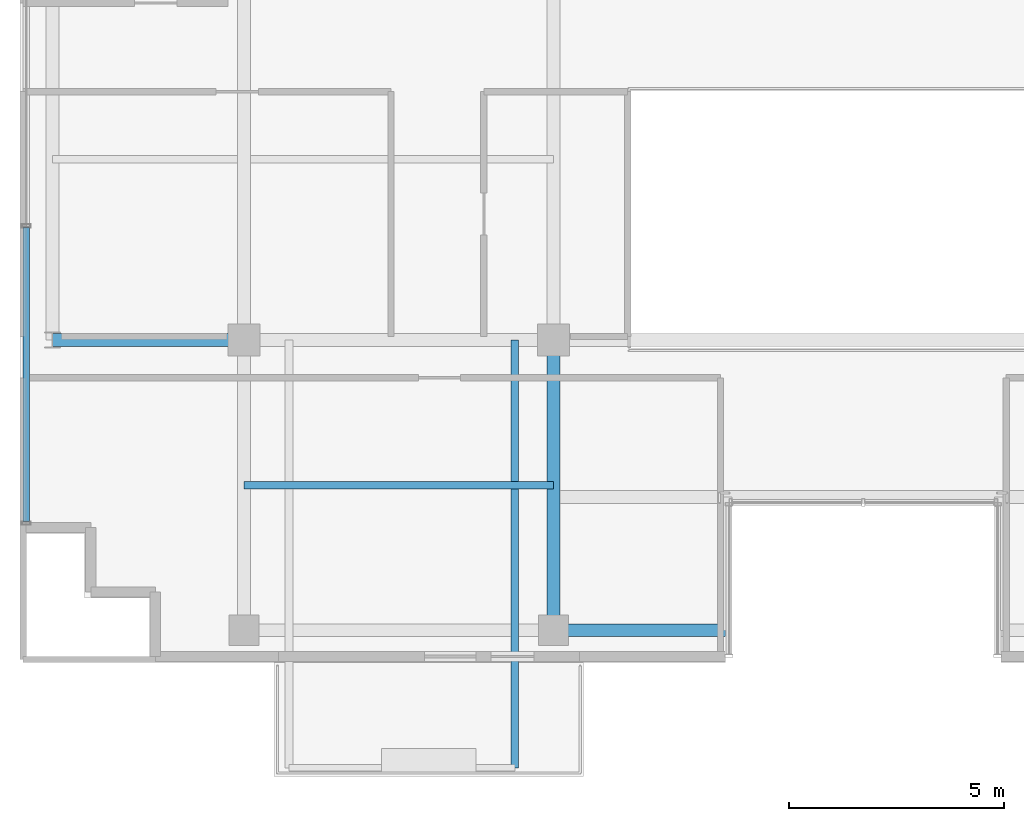
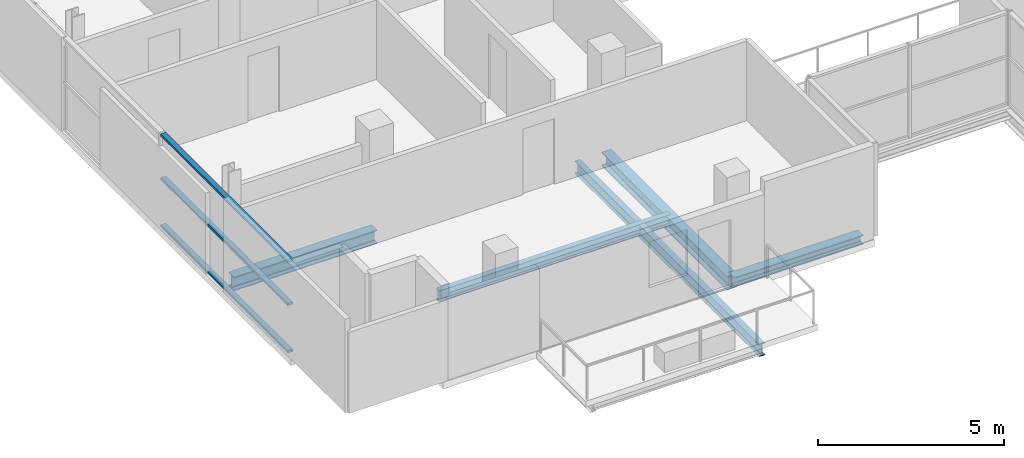
# One storey, part 3 of 22: 5 beams, 3 members, 1 element without a shape of its own.
"""IFC4 building model written with IfcOpenShell, lengths in metres."""

from ifc_helpers import new_model, si_unit, direction, frame, origin, origin_2d, place, context, subcontext, project, spatial, hollow_rectangle, i_section, extrude, source, transform, mapped, material, layer, layer_set, material_profile, profile_set, type_object, element, aggregate, save


model = new_model("IFC4")

# Units and contexts
model_context = context("Model", 3, precision=1e-05, world=origin(), true_north=direction((0.0, 1.0)))
body_context = subcontext(model_context, "Body", "Model", "MODEL_VIEW")
ifc_project = project(units=[si_unit("LENGTHUNIT", "METRE"), si_unit("AREAUNIT", "SQUARE_METRE"), si_unit("VOLUMEUNIT", "CUBIC_METRE"), si_unit("PLANEANGLEUNIT", "RADIAN"), si_unit("MASSUNIT", "GRAM", prefix="KILO")], contexts=[model_context])

# Site, building, storey
site_placement = place(None, origin())
site = spatial("IfcSite", under=ifc_project, at=site_placement, CompositionType="ELEMENT")
building_placement = place(site_placement, origin())
building = spatial("IfcBuilding", under=site, at=building_placement, Name="Zarnakvel Exchange Tower", CompositionType="ELEMENT")
storey_placement = place(building_placement, frame((0.0, 0.0, 245.199951171875)))
storey = spatial("IfcBuildingStorey", under=building, at=storey_placement, Name="L69", CompositionType="ELEMENT", Elevation=245.199951171875)

# Beams
ifc_material_1 = material(Name="Steel S355", Category="steel")
ifc_material_profile_1 = material_profile(ifc_material_1, i_section(OverallWidth=0.179931640625, OverallDepth=0.39990234375, WebThickness=0.008544921875, FlangeThickness=0.013427734375, FilletRadius=0.02099609375, at=origin_2d()))
ifc_profile_set_1 = profile_set([ifc_material_profile_1], Name="Steel S355")
beam_type_1 = type_object("IfcBeamType", Name="B-06", PredefinedType="JOIST", material=ifc_profile_set_1)
beam_1_placement = place(storey_placement, frame((-8.10009765625, -9.60009765625, -0.425048828125), z_axis=(0.0, -1.0, 0.0), x_axis=(1.0, 0.0, 0.0)))
element("IfcBeam", 1, at=beam_1_placement, inside=storey, type_object=beam_type_1, Name="L69 Continuous Back-Spanned Balcony Beam E", PredefinedType="JOIST", context=body_context, shape_type="SweptSolid", body=[
    extrude(i_section(OverallWidth=0.179931640625, OverallDepth=0.39990234375, WebThickness=0.008544921875, FlangeThickness=0.013427734375, FilletRadius=0.02099609375, at=origin_2d()), origin(), (0.0, 0.0, 1.0), 9.949951171875),
])
ifc_material_profile_2 = material_profile(ifc_material_1, i_section(OverallWidth=0.169921875, OverallDepth=0.360107421875, WebThickness=0.008056640625, FlangeThickness=0.0126953125, FilletRadius=0.01806640625, at=origin_2d()))
ifc_profile_set_2 = profile_set([ifc_material_profile_2], Name="Steel S355")
beam_type_2 = type_object("IfcBeamType", Name="B-07", PredefinedType="JOIST", material=ifc_profile_set_2)
beam_2_placement = place(storey_placement, frame((-14.39990234375, -12.97509765625, -0.405029296875), z_axis=(1.0, 0.0, 0.0), x_axis=(0.0, 1.0, 0.0)))
element("IfcBeam", 2, at=beam_2_placement, inside=storey, type_object=beam_type_2, Name="L69 Composite Floor Secondary Joist", PredefinedType="JOIST", context=body_context, shape_type="SweptSolid", body=[
    extrude(i_section(OverallWidth=0.169921875, OverallDepth=0.360107421875, WebThickness=0.008056640625, FlangeThickness=0.0126953125, FilletRadius=0.01806640625, at=origin_2d()), origin(), (0.0, 0.0, 1.0), 7.199951171875),
])
ifc_material_profile_3 = material_profile(ifc_material_1, i_section(OverallWidth=0.300048828125, OverallDepth=0.449951171875, WebThickness=0.013916015625, FlangeThickness=0.02587890625, FilletRadius=0.027099609375, at=origin_2d()))
ifc_profile_set_3 = profile_set([ifc_material_profile_3], Name="Steel S355")
beam_type_3 = type_object("IfcBeamType", Name="G-07", PredefinedType="BEAM", material=ifc_profile_set_3)
beam_3_placement = place(storey_placement, frame((-18.85009765625, -9.60009765625, -0.449951171875), z_axis=(1.0, 0.0, 0.0), x_axis=(0.0, 1.0, 0.0)))
element("IfcBeam", 3, at=beam_3_placement, inside=storey, type_object=beam_type_3, Name="L69 Tower E-W Frame Beam", PredefinedType="BEAM", context=body_context, shape_type="SweptSolid", body=[
    extrude(i_section(OverallWidth=0.300048828125, OverallDepth=0.449951171875, WebThickness=0.013916015625, FlangeThickness=0.02587890625, FilletRadius=0.027099609375, at=origin_2d()), origin(), (0.0, 0.0, 1.0), 4.4501953125),
])
beam_4_placement = place(storey_placement, frame((-7.199951171875, -16.35009765625, -0.449951171875), z_axis=(0.0, 1.0, 0.0), x_axis=(-1.0, 0.0, 0.0)))
element("IfcBeam", 4, at=beam_4_placement, inside=storey, type_object=beam_type_3, Name="L69 Tower N-S Frame Beam", PredefinedType="BEAM", context=body_context, shape_type="SweptSolid", body=[
    extrude(i_section(OverallWidth=0.300048828125, OverallDepth=0.449951171875, WebThickness=0.013916015625, FlangeThickness=0.02587890625, FilletRadius=0.027099609375, at=origin_2d()), origin(), (0.0, 0.0, 1.0), 6.75),
])
ifc_material_profile_4 = material_profile(ifc_material_1, i_section(OverallWidth=0.300048828125, OverallDepth=0.300048828125, WebThickness=0.010986328125, FlangeThickness=0.01904296875, FilletRadius=0.027099609375, at=origin_2d()))
ifc_profile_set_4 = profile_set([ifc_material_profile_4], Name="Steel S355")
beam_type_4 = type_object("IfcBeamType", Name="SP-03", PredefinedType="SPANDREL", material=ifc_profile_set_4)
beam_5_placement = place(storey_placement, frame((-7.199951171875, -16.35009765625, -0.375), z_axis=(1.0, 0.0, 0.0), x_axis=(0.0, 1.0, 0.0)))
element("IfcBeam", 5, at=beam_5_placement, inside=storey, type_object=beam_type_4, Name="L69 South Slot West Jamb Spandrel", PredefinedType="SPANDREL", context=body_context, shape_type="SweptSolid", body=[
    extrude(i_section(OverallWidth=0.300048828125, OverallDepth=0.300048828125, WebThickness=0.010986328125, FlangeThickness=0.01904296875, FilletRadius=0.027099609375, at=origin_2d()), origin(), (0.0, 0.0, 1.0), 4.0),
])

# Curtain wall, members
ifc_material_2 = material(Name="Architectural Bronze Anodised Aluminium", Category="aluminium")
ifc_layer = layer(ifc_material_2, 0.199951171875)
ifc_layer_set = layer_set([ifc_layer], Name="Architectural Bronze Anodised Aluminium")
curtain_wall_type = type_object("IfcCurtainWallType", Name="CW-04", PredefinedType="NOTDEFINED", material=ifc_layer_set)
curtain_wall_placement = place(storey_placement, origin())
curtain_wall = element("IfcCurtainWall", 6, at=curtain_wall_placement, inside=storey, type_object=curtain_wall_type, Name="L69 Curtain Wall CW-L69-W1 (CW-04)", PredefinedType="NOTDEFINED")
ifc_material_profile_5 = material_profile(ifc_material_2, hollow_rectangle(XDim=0.159912109375, YDim=0.074951171875, WallThickness=0.00390625, at=origin_2d()))
ifc_profile_set_5 = profile_set([ifc_material_profile_5], Name="Architectural Bronze Anodised Aluminium")
member_type = type_object("IfcMemberType", Name="CWT-04", PredefinedType="USERDEFINED", material=ifc_profile_set_5)
shared_shape = source(origin(), body_context, "Body", "SweptSolid", [
    extrude(hollow_rectangle(XDim=0.159912109375, YDim=0.074951171875, WallThickness=0.00390625, at=origin_2d()), origin(), (0.0, 0.0, 1.0), 6.83740234375),
])
member_1_placement = place(storey_placement, frame((-19.4599609375, -13.824951171875, 0.03759765625), z_axis=(0.0, 1.0, 0.0), x_axis=(-1.0, 0.0, 0.0)))
member_1 = element("IfcMember", 7, at=member_1_placement, type_object=member_type, Name="CW-04 transom 1.1", ObjectType="TRANSOM", PredefinedType="USERDEFINED", context=body_context, shape_type="MappedRepresentation", body=[
    mapped(shared_shape, transform((0.0, 0.0, 0.0), x_axis=(1.0, 0.0, 0.0), y_axis=(0.0, 1.0, 0.0), z_axis=(0.0, 0.0, 1.0), scale=1.0)),
])
member_2_placement = place(storey_placement, frame((-19.4599609375, -13.824951171875, 1.588623046875), z_axis=(0.0, 1.0, 0.0), x_axis=(-1.0, 0.0, 0.0)))
member_2 = element("IfcMember", 8, at=member_2_placement, type_object=member_type, Name="CW-04 transom 1.2", ObjectType="TRANSOM", PredefinedType="USERDEFINED", context=body_context, shape_type="MappedRepresentation", body=[
    mapped(shared_shape, transform((0.0, 0.0, 0.0), x_axis=(1.0, 0.0, 0.0), y_axis=(0.0, 1.0, 0.0), z_axis=(0.0, 0.0, 1.0), scale=1.0)),
])
member_3_placement = place(storey_placement, frame((-19.4599609375, -13.824951171875, 3.017578125), z_axis=(0.0, 1.0, 0.0), x_axis=(-1.0, 0.0, 0.0)))
member_3 = element("IfcMember", 9, at=member_3_placement, type_object=member_type, Name="CW-04 transom 1.3", ObjectType="TRANSOM", PredefinedType="USERDEFINED", context=body_context, shape_type="MappedRepresentation", body=[
    mapped(shared_shape, transform((0.0, 0.0, 0.0), x_axis=(1.0, 0.0, 0.0), y_axis=(0.0, 1.0, 0.0), z_axis=(0.0, 0.0, 1.0), scale=1.0)),
])
aggregate(curtain_wall, [member_1, member_2, member_3])

save(model, "model.ifc")
